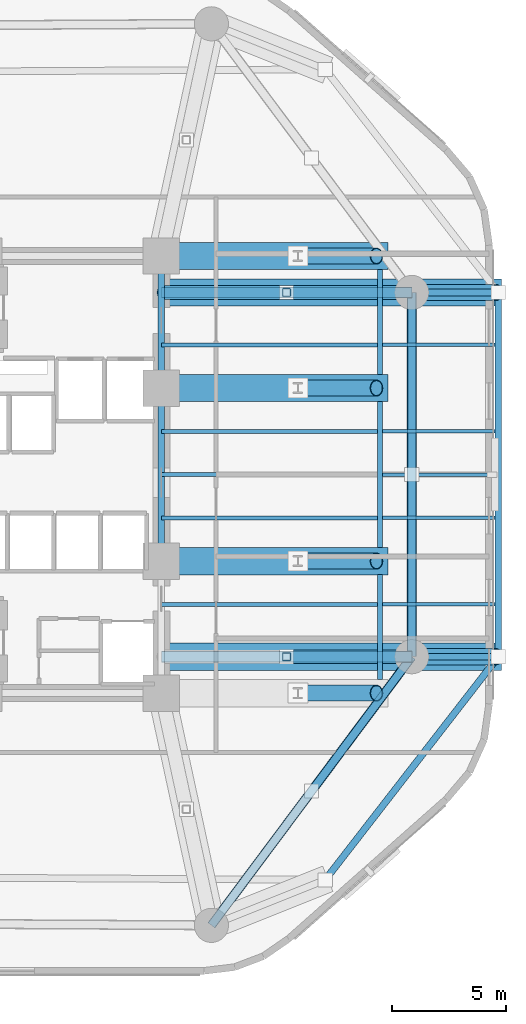
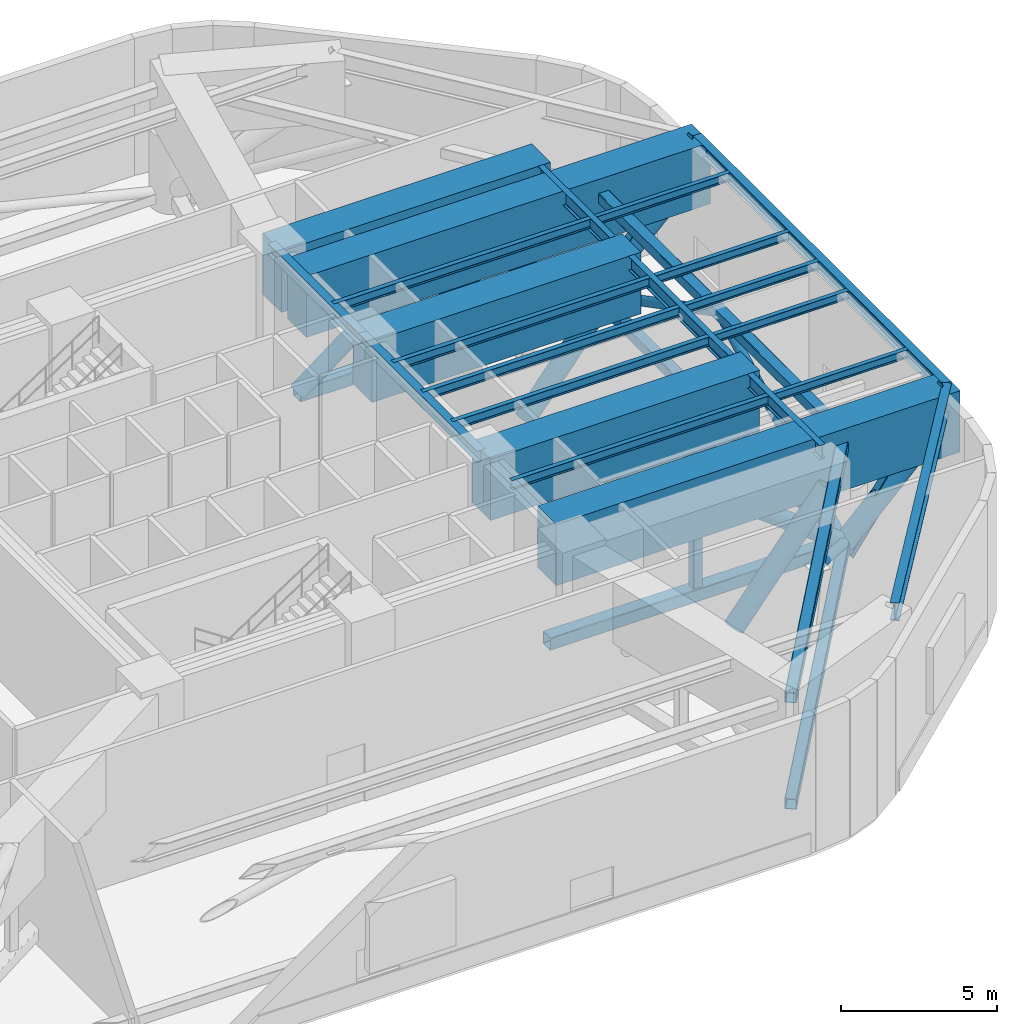
# One storey, part 4 of 11: 24 beams, 20 members.
"""IFC4 building model written with IfcOpenShell, lengths in metres."""

from ifc_helpers import new_model, si_unit, direction, frame, origin, origin_2d, place, context, subcontext, project, spatial, rectangle, hollow_rectangle, hollow_circle, i_section, extrude, material, material_profile, profile_set, type_object, element, save


model = new_model("IFC4")

# Units and contexts
model_context = context("Model", 3, precision=1e-05, world=origin(), true_north=direction((0.0, 1.0)))
body_context = subcontext(model_context, "Body", "Model", "MODEL_VIEW")
ifc_project = project(units=[si_unit("LENGTHUNIT", "METRE"), si_unit("AREAUNIT", "SQUARE_METRE"), si_unit("VOLUMEUNIT", "CUBIC_METRE"), si_unit("PLANEANGLEUNIT", "RADIAN"), si_unit("MASSUNIT", "GRAM", prefix="KILO")], contexts=[model_context])

# Site, building, storey
site_placement = place(None, origin())
site = spatial("IfcSite", under=ifc_project, at=site_placement, CompositionType="ELEMENT")
building_placement = place(site_placement, origin())
building = spatial("IfcBuilding", under=site, at=building_placement, Name="An Khanh Terracotta Commons", CompositionType="ELEMENT")
storey_placement = place(building_placement, frame((0.0, 0.0, 75.60009765625)))
storey = spatial("IfcBuildingStorey", under=building, at=storey_placement, Name="L20", CompositionType="ELEMENT", Elevation=75.60009765625)

# Members
ifc_material_1 = material(Name="Steel S460ML", Category="steel")
ifc_material_profile_1 = material_profile(ifc_material_1, hollow_rectangle(XDim=0.39990234375, YDim=0.39990234375, WallThickness=0.02001953125, InnerFilletRadius=0.02001953125, OuterFilletRadius=0.0400390625, at=origin_2d()), Name="SHS400x400x20")
ifc_profile_set_1 = profile_set([ifc_material_profile_1], Name="Steel S460ML")
member_type_1 = type_object("IfcMemberType", Name="BELT-CHORD-SHS400", PredefinedType="CHORD", material=ifc_profile_set_1)
for number, where, z_axis, x_axis, name in (
    (1, (39.39990234375, 4.199951171875, 0.449951171875), (0.59782442166, 0.801627070942, 0.0), (-0.801627070942, 0.59782442166, 0.0), "L20 Belt-Truss Bottom Chord 2"),
    (2, (39.39990234375, 4.199951171875, 4.60986328125), (0.59782442166, 0.801627070942, 0.0), (-0.801627070942, 0.59782442166, 0.0), "L20 Belt-Truss Top Chord 2"),
):
    element("IfcMember", number, at=place(storey_placement, frame(where, z_axis=z_axis, x_axis=x_axis)), inside=storey, type_object=member_type_1, Name=name, PredefinedType="CHORD", context=body_context, shape_type="SweptSolid", body=[
        extrude(hollow_rectangle(XDim=0.39990234375, YDim=0.39990234375, WallThickness=0.02001953125, InnerFilletRadius=0.02001953125, OuterFilletRadius=0.0400390625, at=origin_2d()), origin(), (0.0, 0.0, 1.0), 14.72021484375),
    ])
for number, where, z_axis, x_axis, name in (
    (3, (48.199951171875, 16.0, 0.449951171875), (0.0, 1.0, 0.0), (-1.0, 0.0, 0.0), "L20 Belt-Truss Bottom Chord 3"),
    (4, (48.199951171875, 16.0, 4.60986328125), (0.0, 1.0, 0.0), (-1.0, 0.0, 0.0), "L20 Belt-Truss Top Chord 3"),
):
    element("IfcMember", number, at=place(storey_placement, frame(where, z_axis=z_axis, x_axis=x_axis)), inside=storey, type_object=member_type_1, Name=name, PredefinedType="CHORD", context=body_context, shape_type="SweptSolid", body=[
        extrude(hollow_rectangle(XDim=0.39990234375, YDim=0.39990234375, WallThickness=0.02001953125, InnerFilletRadius=0.02001953125, OuterFilletRadius=0.0400390625, at=origin_2d()), origin(), (0.0, 0.0, 1.0), 16.0),
    ])
ifc_material_profile_2 = material_profile(ifc_material_1, hollow_rectangle(XDim=0.5, YDim=0.5, WallThickness=0.02490234375, InnerFilletRadius=0.02490234375, OuterFilletRadius=0.050048828125, at=origin_2d()), Name="SHS500x500x25")
ifc_profile_set_2 = profile_set([ifc_material_profile_2], Name="Steel S460ML")
member_type_2 = type_object("IfcMemberType", Name="BELT-CHORD-SHS500", PredefinedType="CHORD", material=ifc_profile_set_2)
for number, where, z_axis, x_axis, name in (
    (5, (37.199951171875, 16.0, 0.449951171875), (1.0, 0.0, 0.0), (0.0, 1.0, 0.0), "L20 Outrigger Bottom Chord 3"),
    (6, (37.199951171875, 32.0, 0.449951171875), (1.0, 0.0, 0.0), (0.0, 1.0, 0.0), "L20 Outrigger Bottom Chord 4"),
):
    element("IfcMember", number, at=place(storey_placement, frame(where, z_axis=z_axis, x_axis=x_axis)), inside=storey, type_object=member_type_2, Name=name, PredefinedType="CHORD", context=body_context, shape_type="SweptSolid", body=[
        extrude(hollow_rectangle(XDim=0.5, YDim=0.5, WallThickness=0.02490234375, InnerFilletRadius=0.02490234375, OuterFilletRadius=0.050048828125, at=origin_2d()), origin(), (0.0, 0.0, 1.0), 11.0),
    ])
ifc_material_profile_3 = material_profile(ifc_material_1, hollow_circle(Radius=0.177734375, WallThickness=0.01611328125, at=origin_2d()), Name="CHS355.6x16")
ifc_profile_set_3 = profile_set([ifc_material_profile_3], Name="Steel S460ML")
member_type_3 = type_object("IfcMemberType", Name="BELT-DIAG-CHS355", PredefinedType="BRACE", material=ifc_profile_set_3)
member_placement = place(storey_placement, frame((48.199951171875, 16.0, 0.449951171875), z_axis=(-0.52044215431, -0.697869553937, 0.492054925496), x_axis=(0.801629091732, -0.597821711959, 0.0)))
element("IfcMember", 7, at=member_placement, inside=storey, type_object=member_type_3, Name="L20 Belt-Truss Web Diagonal 2B", PredefinedType="BRACE", context=body_context, shape_type="SweptSolid", body=[
    extrude(hollow_circle(Radius=0.177734375, WallThickness=0.01611328125, at=origin_2d()), origin(), (0.0, 0.0, 1.0), 8.4541015625),
])
for number, where, z_axis, x_axis, name in (
    (8, (48.199951171875, 16.0, 0.449951171875), (0.0, 0.887220790965, 0.461345064003), (-1.0, 0.0, 0.0), "L20 Belt-Truss Web Diagonal 3A"),
    (9, (48.199951171875, 32.0, 0.449951171875), (0.0, -0.887220790965, 0.461345064003), (1.0, 0.0, 0.0), "L20 Belt-Truss Web Diagonal 3B"),
):
    element("IfcMember", number, at=place(storey_placement, frame(where, z_axis=z_axis, x_axis=x_axis)), inside=storey, type_object=member_type_3, Name=name, PredefinedType="BRACE", context=body_context, shape_type="SweptSolid", body=[
        extrude(hollow_circle(Radius=0.177734375, WallThickness=0.01611328125, at=origin_2d()), origin(), (0.0, 0.0, 1.0), 9.016845703125),
    ])
ifc_material_profile_4 = material_profile(ifc_material_1, hollow_rectangle(XDim=0.35009765625, YDim=0.35009765625, WallThickness=0.01611328125, InnerFilletRadius=0.01611328125, OuterFilletRadius=0.031982421875, at=origin_2d()), Name="SHS350x350x16")
ifc_profile_set_4 = profile_set([ifc_material_profile_4], Name="Steel S460ML")
member_type_4 = type_object("IfcMemberType", Name="BELT-STRUT-SHS350", PredefinedType="STRUT", material=ifc_profile_set_4)
for number, where, z_axis, x_axis, name in (
    (10, (42.699951171875, 16.0, 0.449951171875), (0.0, 0.0, 1.0), (1.0, 0.0, 0.0), "L20 Outrigger Vertical Post 3"),
    (11, (42.699951171875, 32.0, 0.449951171875), (0.0, 0.0, 1.0), (1.0, 0.0, 0.0), "L20 Outrigger Vertical Post 4"),
):
    element("IfcMember", number, at=place(storey_placement, frame(where, z_axis=z_axis, x_axis=x_axis)), inside=storey, type_object=member_type_4, Name=name, PredefinedType="STRUT", context=body_context, shape_type="SweptSolid", body=[
        extrude(hollow_rectangle(XDim=0.35009765625, YDim=0.35009765625, WallThickness=0.01611328125, InnerFilletRadius=0.01611328125, OuterFilletRadius=0.031982421875, at=origin_2d()), origin(), (0.0, 0.0, 1.0), 4.159912109375),
    ])

# Beams
ifc_material_2 = material(Name="Steel S355J2", Category="steel")
ifc_material_profile_5 = material_profile(ifc_material_2, i_section(OverallWidth=0.300048828125, OverallDepth=0.449951171875, WebThickness=0.013916015625, FlangeThickness=0.02587890625, FilletRadius=0.027099609375, at=origin_2d()), Name="HEB450")
ifc_profile_set_5 = profile_set([ifc_material_profile_5], Name="Steel S355J2")
beam_type_1 = type_object("IfcBeamType", Name="BM-HEB450", PredefinedType="BEAM", material=ifc_profile_set_5)
beam_1_placement = place(storey_placement, frame((37.199951171875, 20.199951171875, 5.135009765625), z_axis=(0.0, 1.0, 0.0), x_axis=(-1.0, 0.0, 0.0)))
element("IfcBeam", 12, at=beam_1_placement, inside=storey, type_object=beam_type_1, Name="L20 Core East Coupling Girder 2", PredefinedType="BEAM", context=body_context, shape_type="SweptSolid", body=[
    extrude(i_section(OverallWidth=0.300048828125, OverallDepth=0.449951171875, WebThickness=0.013916015625, FlangeThickness=0.02587890625, FilletRadius=0.027099609375, at=origin_2d()), origin(), (0.0, 0.0, 1.0), 7.60009765625),
])
beam_2_placement = place(storey_placement, frame((37.199951171875, 27.800048828125, 5.135009765625), z_axis=(0.0, 1.0, 0.0), x_axis=(-1.0, 0.0, 0.0)))
element("IfcBeam", 13, at=beam_2_placement, inside=storey, type_object=beam_type_1, Name="L20 Core East Coupling Girder 3", PredefinedType="BEAM", context=body_context, shape_type="SweptSolid", body=[
    extrude(i_section(OverallWidth=0.300048828125, OverallDepth=0.449951171875, WebThickness=0.013916015625, FlangeThickness=0.02587890625, FilletRadius=0.027099609375, at=origin_2d()), origin(), (0.0, 0.0, 1.0), 5.800048828125),
])
ifc_material_profile_6 = material_profile(ifc_material_2, i_section(OverallWidth=0.300048828125, OverallDepth=0.5, WebThickness=0.014404296875, FlangeThickness=0.028076171875, FilletRadius=0.027099609375, at=origin_2d()), Name="HEB500")
ifc_profile_set_6 = profile_set([ifc_material_profile_6], Name="Steel S355J2")
beam_type_2 = type_object("IfcBeamType", Name="BM-HEB500", PredefinedType="BEAM", material=ifc_profile_set_6)
beam_3_placement = place(storey_placement, frame((52.0, 16.0, 5.10986328125), z_axis=(0.0, 1.0, 0.0), x_axis=(-1.0, 0.0, 0.0)))
element("IfcBeam", 14, at=beam_3_placement, inside=storey, type_object=beam_type_2, Name="L20 Perimeter Ring Spandrel 3", PredefinedType="BEAM", context=body_context, shape_type="SweptSolid", body=[
    extrude(i_section(OverallWidth=0.300048828125, OverallDepth=0.5, WebThickness=0.014404296875, FlangeThickness=0.028076171875, FilletRadius=0.027099609375, at=origin_2d()), origin(), (0.0, 0.0, 1.0), 16.0),
])
ifc_material_profile_7 = material_profile(ifc_material_2, i_section(OverallWidth=0.300048828125, OverallDepth=0.60009765625, WebThickness=0.015380859375, FlangeThickness=0.030029296875, FilletRadius=0.027099609375, at=origin_2d()), Name="HEB600")
ifc_profile_set_7 = profile_set([ifc_material_profile_7], Name="Steel S355J2")
beam_type_3 = type_object("IfcBeamType", Name="BM-HEB600", PredefinedType="BEAM", material=ifc_profile_set_7)
for number, where, z_axis, x_axis, name in (
    (15, (48.199951171875, 16.0, 0.0), (0.586340223599, 0.0, 0.810064899986), (0.0, 1.0, 0.0), "L20 Outrigger Lower Column Tie Beam 3"),
    (16, (48.199951171875, 32.0, 0.0), (0.586340223599, 0.0, 0.810064899986), (0.0, 1.0, 0.0), "L20 Outrigger Lower Column Tie Beam 4"),
):
    element("IfcBeam", number, at=place(storey_placement, frame(where, z_axis=z_axis, x_axis=x_axis)), inside=storey, type_object=beam_type_3, Name=name, PredefinedType="BEAM", context=body_context, shape_type="SweptSolid", body=[
        extrude(i_section(OverallWidth=0.300048828125, OverallDepth=0.60009765625, WebThickness=0.015380859375, FlangeThickness=0.030029296875, FilletRadius=0.027099609375, at=origin_2d()), origin(), (0.0, 0.0, 1.0), 6.48095703125),
    ])
ifc_material_profile_8 = material_profile(ifc_material_2, i_section(OverallWidth=0.300048828125, OverallDepth=0.699951171875, WebThickness=0.01708984375, FlangeThickness=0.031982421875, FilletRadius=0.027099609375, at=origin_2d()), Name="HEB700")
ifc_profile_set_8 = profile_set([ifc_material_profile_8], Name="Steel S355J2")
beam_type_4 = type_object("IfcBeamType", Name="BM-HEB700", PredefinedType="BEAM", material=ifc_profile_set_8)
beam_4_placement = place(storey_placement, frame((44.39990234375, 6.199951171875, 5.010009765625), z_axis=(0.612826529795, 0.790217466511, 0.0), x_axis=(-0.790217466511, 0.612826529795, 0.0)))
element("IfcBeam", 17, at=beam_4_placement, inside=storey, type_object=beam_type_4, Name="L20 Perimeter Ring Spandrel 2", PredefinedType="BEAM", context=body_context, shape_type="SweptSolid", body=[
    extrude(i_section(OverallWidth=0.300048828125, OverallDepth=0.699951171875, WebThickness=0.01708984375, FlangeThickness=0.031982421875, FilletRadius=0.027099609375, at=origin_2d()), origin(), (0.0, 0.0, 1.0), 12.401611328125),
])
ifc_material_profile_9 = material_profile(ifc_material_2, i_section(OverallWidth=0.159912109375, OverallDepth=0.330078125, WebThickness=0.007568359375, FlangeThickness=0.011474609375, FilletRadius=0.01806640625, at=origin_2d()), Name="IPE330")
ifc_profile_set_9 = profile_set([ifc_material_profile_9], Name="Steel S355J2")
beam_type_5 = type_object("IfcBeamType", Name="BM-IPE330", PredefinedType="JOIST", material=ifc_profile_set_9)
for number, where, z_axis, x_axis, name in (
    (18, (46.905029296875, 18.300048828125, 5.19482421875), (1.0, 0.0, 0.0), (0.0, 1.0, 0.0), "L20 Riverfront Composite Joist 2"),
    (19, (46.905029296875, 22.10009765625, 5.19482421875), (1.0, 0.0, 0.0), (0.0, 1.0, 0.0), "L20 Riverfront Composite Joist 3"),
    (20, (46.905029296875, 24.0, 5.19482421875), (1.0, 0.0, 0.0), (0.0, 1.0, 0.0), "L20 Riverfront Composite Joist 4"),
    (21, (46.905029296875, 25.89990234375, 5.19482421875), (1.0, 0.0, 0.0), (0.0, 1.0, 0.0), "L20 Riverfront Composite Joist 5"),
    (22, (46.905029296875, 29.699951171875, 5.19482421875), (1.0, 0.0, 0.0), (0.0, 1.0, 0.0), "L20 Riverfront Composite Joist 6"),
):
    element("IfcBeam", number, at=place(storey_placement, frame(where, z_axis=z_axis, x_axis=x_axis)), inside=storey, type_object=beam_type_5, Name=name, PredefinedType="JOIST", context=body_context, shape_type="SweptSolid", body=[
        extrude(i_section(OverallWidth=0.159912109375, OverallDepth=0.330078125, WebThickness=0.007568359375, FlangeThickness=0.011474609375, FilletRadius=0.01806640625, at=origin_2d()), origin(), (0.0, 0.0, 1.0), 4.945068359375),
    ])
ifc_material_profile_10 = material_profile(ifc_material_2, i_section(OverallWidth=0.169921875, OverallDepth=0.360107421875, WebThickness=0.008056640625, FlangeThickness=0.0126953125, FilletRadius=0.01806640625, at=origin_2d()), Name="IPE360")
ifc_profile_set_10 = profile_set([ifc_material_profile_10], Name="Steel S355J2")
beam_type_6 = type_object("IfcBeamType", Name="BM-IPE360", PredefinedType="JOIST", material=ifc_profile_set_10)
for number, where, z_axis, x_axis, name in (
    (23, (37.199951171875, 18.300048828125, 5.179931640625), (1.0, 0.0, 0.0), (0.0, 1.0, 0.0), "L20 Inboard Composite Joist 2"),
    (24, (37.199951171875, 22.10009765625, 5.179931640625), (1.0, 0.0, 0.0), (0.0, 1.0, 0.0), "L20 Inboard Composite Joist 3"),
    (25, (37.199951171875, 24.0, 5.179931640625), (1.0, 0.0, 0.0), (0.0, 1.0, 0.0), "L20 Inboard Composite Joist 4"),
    (26, (37.199951171875, 25.89990234375, 5.179931640625), (1.0, 0.0, 0.0), (0.0, 1.0, 0.0), "L20 Inboard Composite Joist 5"),
    (27, (37.199951171875, 29.699951171875, 5.179931640625), (1.0, 0.0, 0.0), (0.0, 1.0, 0.0), "L20 Inboard Composite Joist 6"),
):
    element("IfcBeam", number, at=place(storey_placement, frame(where, z_axis=z_axis, x_axis=x_axis)), inside=storey, type_object=beam_type_6, Name=name, PredefinedType="JOIST", context=body_context, shape_type="SweptSolid", body=[
        extrude(i_section(OverallWidth=0.169921875, OverallDepth=0.360107421875, WebThickness=0.008056640625, FlangeThickness=0.0126953125, FilletRadius=0.01806640625, at=origin_2d()), origin(), (0.0, 0.0, 1.0), 9.4951171875),
    ])
ifc_material_profile_11 = material_profile(ifc_material_2, i_section(OverallWidth=0.2099609375, OverallDepth=0.550048828125, WebThickness=0.010986328125, FlangeThickness=0.01708984375, FilletRadius=0.02392578125, at=origin_2d()), Name="IPE550")
ifc_profile_set_11 = profile_set([ifc_material_profile_11], Name="Steel S355J2")
beam_type_7 = type_object("IfcBeamType", Name="BM-IPE550", PredefinedType="BEAM", material=ifc_profile_set_11)
beam_5_placement = place(storey_placement, frame((46.800048828125, 14.989990234375, 5.0849609375), z_axis=(0.0, 1.0, 0.0), x_axis=(-1.0, 0.0, 0.0)))
element("IfcBeam", 28, at=beam_5_placement, inside=storey, type_object=beam_type_7, Name="L20 East Spine Girder 1", PredefinedType="BEAM", context=body_context, shape_type="SweptSolid", body=[
    extrude(i_section(OverallWidth=0.2099609375, OverallDepth=0.550048828125, WebThickness=0.010986328125, FlangeThickness=0.01708984375, FilletRadius=0.02392578125, at=origin_2d()), origin(), (0.0, 0.0, 1.0), 4.6201171875),
])
beam_6_placement = place(storey_placement, frame((46.800048828125, 20.7900390625, 5.0849609375), z_axis=(0.0, 1.0, 0.0), x_axis=(-1.0, 0.0, 0.0)))
element("IfcBeam", 29, at=beam_6_placement, inside=storey, type_object=beam_type_7, Name="L20 East Spine Girder 2", PredefinedType="BEAM", context=body_context, shape_type="SweptSolid", body=[
    extrude(i_section(OverallWidth=0.2099609375, OverallDepth=0.550048828125, WebThickness=0.010986328125, FlangeThickness=0.01708984375, FilletRadius=0.02392578125, at=origin_2d()), origin(), (0.0, 0.0, 1.0), 6.419921875),
])
beam_7_placement = place(storey_placement, frame((46.800048828125, 28.389892578125, 5.0849609375), z_axis=(0.0, 1.0, 0.0), x_axis=(-1.0, 0.0, 0.0)))
element("IfcBeam", 30, at=beam_7_placement, inside=storey, type_object=beam_type_7, Name="L20 East Spine Girder 3", PredefinedType="BEAM", context=body_context, shape_type="SweptSolid", body=[
    extrude(i_section(OverallWidth=0.2099609375, OverallDepth=0.550048828125, WebThickness=0.010986328125, FlangeThickness=0.01708984375, FilletRadius=0.02392578125, at=origin_2d()), origin(), (0.0, 0.0, 1.0), 4.6201171875),
])
ifc_material_3 = material(Name="Concrete C60/75", Category="concrete")
ifc_material_profile_12 = material_profile(ifc_material_3, rectangle(XDim=1.199951171875, YDim=2.39990234375, at=origin_2d()), Name="RCB1200x2400")
ifc_profile_set_12 = profile_set([ifc_material_profile_12], Name="Concrete C60/75")
beam_type_8 = type_object("IfcBeamType", Name="BM-RCB1200x2400", PredefinedType="BEAM", material=ifc_profile_set_12)
for number, where, z_axis, x_axis, name in (
    (31, (37.199951171875, 16.0, 4.159912109375), (1.0, 0.0, 0.0), (0.0, 1.0, 0.0), "L20 Outrigger Core-to-Mega Transfer Girder 3"),
    (32, (37.199951171875, 32.0, 4.159912109375), (1.0, 0.0, 0.0), (0.0, 1.0, 0.0), "L20 Outrigger Core-to-Mega Transfer Girder 4"),
):
    element("IfcBeam", number, at=place(storey_placement, frame(where, z_axis=z_axis, x_axis=x_axis)), inside=storey, type_object=beam_type_8, Name=name, PredefinedType="BEAM", context=body_context, shape_type="SweptSolid", body=[
        extrude(rectangle(XDim=1.199951171875, YDim=2.39990234375, at=origin_2d()), origin(), (0.0, 0.0, 1.0), 14.93994140625),
    ])
for number, where, z_axis, x_axis, name in (
    (33, (37.199951171875, 20.199951171875, 4.159912109375), (1.0, 0.0, 0.0), (0.0, 1.0, 0.0), "L20 Interior Column Step-Out Transfer Girder 2"),
    (34, (37.199951171875, 27.800048828125, 4.159912109375), (1.0, 0.0, 0.0), (0.0, 1.0, 0.0), "L20 Interior Column Step-Out Transfer Girder 3"),
    (35, (37.199951171875, 33.60009765625, 4.159912109375), (1.0, 0.0, 0.0), (0.0, 1.0, 0.0), "L20 Interior Column Step-Out Transfer Girder 4"),
):
    element("IfcBeam", number, at=place(storey_placement, frame(where, z_axis=z_axis, x_axis=x_axis)), inside=storey, type_object=beam_type_8, Name=name, PredefinedType="BEAM", context=body_context, shape_type="SweptSolid", body=[
        extrude(rectangle(XDim=1.199951171875, YDim=2.39990234375, at=origin_2d()), origin(), (0.0, 0.0, 1.0), 9.949951171875),
    ])

# Members
ifc_material_profile_13 = material_profile(ifc_material_1, hollow_circle(Radius=0.304931640625, WallThickness=0.030029296875, at=origin_2d()), Name="CHS610x30")
ifc_profile_set_13 = profile_set([ifc_material_profile_13], Name="Steel S460ML")
member_type_5 = type_object("IfcMemberType", Name="OUTRIGGER-DIAG-CHS610", PredefinedType="BRACE", material=ifc_profile_set_13)
for number, where, z_axis, x_axis, name in (
    (36, (42.699951171875, 16.0, 4.60986328125), (0.797563362693, 0.0, -0.603235180083), (0.0, 1.0, 0.0), "L20 Outrigger Tie Diagonal 3B"),
    (37, (37.199951171875, 32.0, 0.449951171875), (0.797563362693, 0.0, 0.603235180083), (0.0, 1.0, 0.0), "L20 Outrigger Tie Diagonal 4A"),
    (38, (42.699951171875, 32.0, 4.60986328125), (0.797563362693, 0.0, -0.603235180083), (0.0, 1.0, 0.0), "L20 Outrigger Tie Diagonal 4B"),
):
    element("IfcMember", number, at=place(storey_placement, frame(where, z_axis=z_axis, x_axis=x_axis)), inside=storey, type_object=member_type_5, Name=name, PredefinedType="BRACE", context=body_context, shape_type="SweptSolid", body=[
        extrude(hollow_circle(Radius=0.304931640625, WallThickness=0.030029296875, at=origin_2d()), origin(), (0.0, 0.0, 1.0), 6.89599609375),
    ])
ifc_material_profile_14 = material_profile(ifc_material_1, hollow_circle(Radius=0.35546875, WallThickness=0.031982421875, at=origin_2d()), Name="CHS711x32")
ifc_profile_set_14 = profile_set([ifc_material_profile_14], Name="Steel S460ML")
member_type_6 = type_object("IfcMemberType", Name="OUTRIGGER-RAKE-CHS711", PredefinedType="STRUT", material=ifc_profile_set_14)
for number, where, z_axis, x_axis, name in (
    (39, (48.199951171875, 16.0, 0.449951171875), (0.708058768268, 0.0, 0.706153510704), (0.0, 1.0, 0.0), "L20 Zone-Step Raking Outrigger Strut 3"),
    (40, (48.199951171875, 32.0, 0.449951171875), (0.708058768268, 0.0, 0.706153510704), (0.0, 1.0, 0.0), "L20 Zone-Step Raking Outrigger Strut 4"),
):
    element("IfcMember", number, at=place(storey_placement, frame(where, z_axis=z_axis, x_axis=x_axis)), inside=storey, type_object=member_type_6, Name=name, PredefinedType="STRUT", context=body_context, shape_type="SweptSolid", body=[
        extrude(hollow_circle(Radius=0.35546875, WallThickness=0.031982421875, at=origin_2d()), origin(), (0.0, 0.0, 1.0), 5.253662109375),
    ])
for number, where, z_axis, x_axis, name in (
    (41, (43.199951171875, 14.39990234375, -0.14013671875), (0.625790754633, 0.0, 0.779990981625), (0.0, 1.0, 0.0), "L20 Interior Column Raking Transfer Strut 1"),
    (42, (43.199951171875, 20.199951171875, -0.14013671875), (0.625790754633, 0.0, 0.779990981625), (0.0, 1.0, 0.0), "L20 Interior Column Raking Transfer Strut 2"),
    (43, (43.199951171875, 27.800048828125, -0.14013671875), (0.625790754633, 0.0, 0.779990981625), (0.0, 1.0, 0.0), "L20 Interior Column Raking Transfer Strut 3"),
    (44, (43.199951171875, 33.60009765625, -0.14013671875), (0.625790754633, 0.0, 0.779990981625), (0.0, 1.0, 0.0), "L20 Interior Column Raking Transfer Strut 4"),
):
    element("IfcMember", number, at=place(storey_placement, frame(where, z_axis=z_axis, x_axis=x_axis)), inside=storey, type_object=member_type_6, Name=name, PredefinedType="STRUT", context=body_context, shape_type="SweptSolid", body=[
        extrude(hollow_circle(Radius=0.35546875, WallThickness=0.031982421875, at=origin_2d()), origin(), (0.0, 0.0, 1.0), 5.512939453125),
    ])

save(model, "model.ifc")
